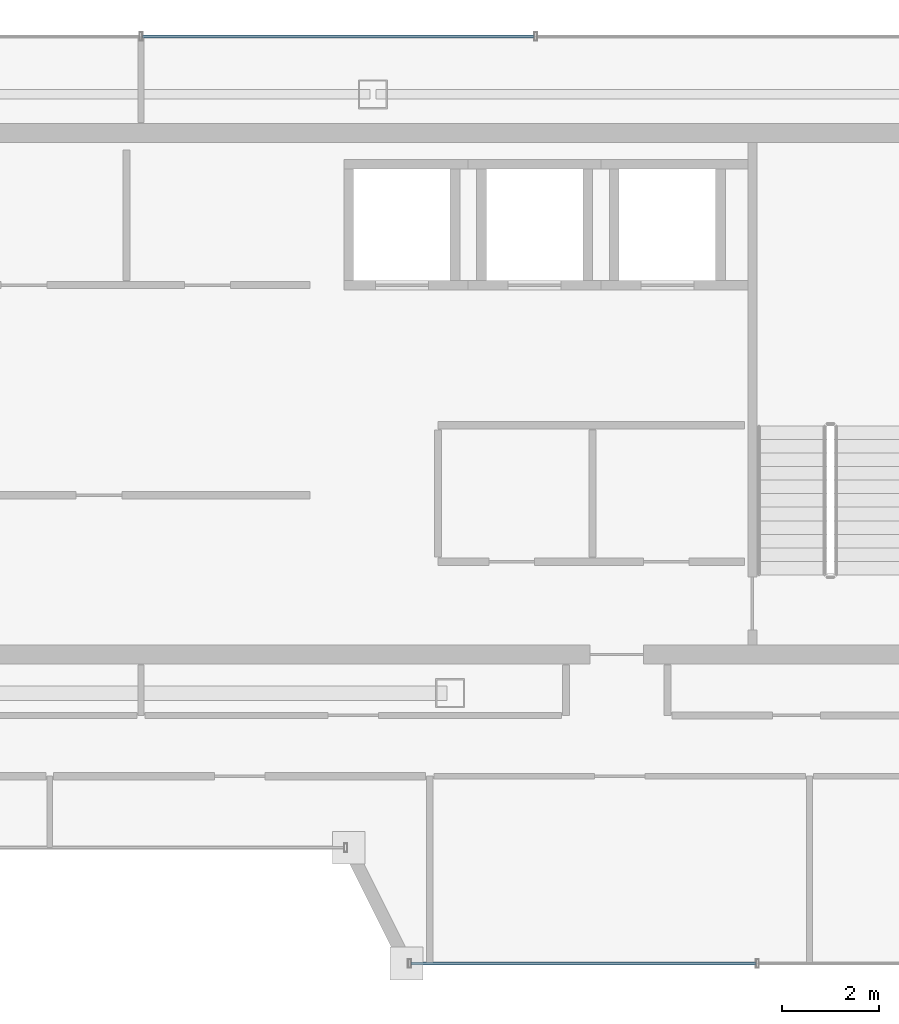
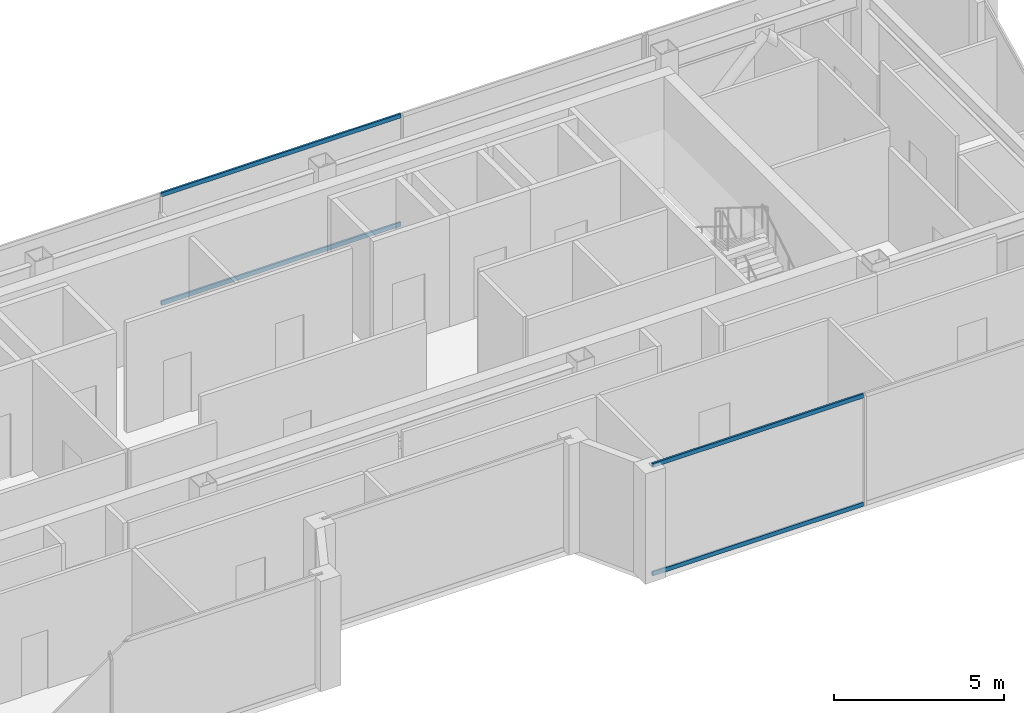
# One storey, part 9 of 20: 4 members, 2 elements without a shape of their own.
"""IFC4 building model written with IfcOpenShell, lengths in metres."""

from ifc_helpers import new_model, si_unit, direction, frame, origin, origin_2d, place, context, subcontext, project, spatial, hollow_rectangle, extrude, material, material_profile, profile_set, type_object, element, aggregate, save


model = new_model("IFC4")

# Units and contexts
model_context = context("Model", 3, precision=1e-05, world=origin(), true_north=direction((0.0, 1.0)))
body_context = subcontext(model_context, "Body", "Model", "MODEL_VIEW")
ifc_project = project(units=[si_unit("LENGTHUNIT", "METRE"), si_unit("AREAUNIT", "SQUARE_METRE"), si_unit("VOLUMEUNIT", "CUBIC_METRE"), si_unit("PLANEANGLEUNIT", "RADIAN"), si_unit("MASSUNIT", "GRAM", prefix="KILO")], contexts=[model_context])

# Site, building, storey
site_placement = place(None, origin())
site = spatial("IfcSite", under=ifc_project, at=site_placement, CompositionType="ELEMENT")
building_placement = place(site_placement, origin())
building = spatial("IfcBuilding", under=site, at=building_placement, Name="Saevonmaru Cultural Tower", CompositionType="ELEMENT")
storey_placement = place(building_placement, frame((0.0, 0.0, 319.199951171875)))
storey = spatial("IfcBuildingStorey", under=building, at=storey_placement, Name="L76", CompositionType="ELEMENT", Elevation=319.199951171875)

# Curtain wall, members
ifc_material = material(Name="Satin Bronze Anodised Aluminium", Category="aluminium")
curtain_wall_type = type_object("IfcCurtainWallType", Name="CW-SKY-GLZ", PredefinedType="NOTDEFINED", material=ifc_material)
curtain_wall_1_placement = place(storey_placement, origin())
curtain_wall_1 = element("IfcCurtainWall", 1, at=curtain_wall_1_placement, inside=storey, type_object=curtain_wall_type, Name="L76 Unitised Curtain Wall E6", PredefinedType="NOTDEFINED")
ifc_material_profile = material_profile(ifc_material, hollow_rectangle(XDim=0.06494140625, YDim=0.14990234375, WallThickness=0.00390625, at=origin_2d()), Name="ALU-TRAN-150x65x4")
ifc_profile_set = profile_set([ifc_material_profile], Name="Satin Bronze Anodised Aluminium")
member_type = type_object("IfcMemberType", Name="TR-CW-150x65", PredefinedType="USERDEFINED", material=ifc_profile_set)
member_1_placement = place(storey_placement, frame((35.592529296875, 36.800048828125, 0.032470703125), z_axis=(1.0, 0.0, 0.0), x_axis=(0.0, 1.0, 0.0)))
member_1 = element("IfcMember", 2, at=member_1_placement, type_object=member_type, Name="CW-TW-L76-E6 transom 1.1", ObjectType="TRANSOM", PredefinedType="USERDEFINED", context=body_context, shape_type="SweptSolid", body=[
    extrude(hollow_rectangle(XDim=0.06494140625, YDim=0.14990234375, WallThickness=0.00390625, at=origin_2d()), origin(), (0.0, 0.0, 1.0), 7.138427734375),
])
member_2_placement = place(storey_placement, frame((35.592529296875, 36.800048828125, 3.91748046875), z_axis=(1.0, 0.0, 0.0), x_axis=(0.0, 1.0, 0.0)))
member_2 = element("IfcMember", 3, at=member_2_placement, type_object=member_type, Name="CW-TW-L76-E6 transom 1.2", ObjectType="TRANSOM", PredefinedType="USERDEFINED", context=body_context, shape_type="SweptSolid", body=[
    extrude(hollow_rectangle(XDim=0.06494140625, YDim=0.14990234375, WallThickness=0.00390625, at=origin_2d()), origin(), (0.0, 0.0, 1.0), 7.138427734375),
])
aggregate(curtain_wall_1, [member_1, member_2])

curtain_wall_2_placement = place(storey_placement, origin())
curtain_wall_2 = element("IfcCurtainWall", 4, at=curtain_wall_2_placement, inside=storey, type_object=curtain_wall_type, Name="L76 North Spine Unitised Curtain Wall E10B", PredefinedType="NOTDEFINED")
member_3_placement = place(storey_placement, frame((38.137451171875, 56.0, 0.032470703125), z_axis=(-1.0, 0.0, 0.0), x_axis=(0.0, -1.0, 0.0)))
member_3 = element("IfcMember", 5, at=member_3_placement, type_object=member_type, Name="CW-TW-L76-E10B transom 2.1", ObjectType="TRANSOM", PredefinedType="USERDEFINED", context=body_context, shape_type="SweptSolid", body=[
    extrude(hollow_rectangle(XDim=0.06494140625, YDim=0.14990234375, WallThickness=0.00390625, at=origin_2d()), origin(), (0.0, 0.0, 1.0), 8.10498046875),
])
member_4_placement = place(storey_placement, frame((38.137451171875, 56.0, 3.91748046875), z_axis=(-1.0, 0.0, 0.0), x_axis=(0.0, -1.0, 0.0)))
member_4 = element("IfcMember", 6, at=member_4_placement, type_object=member_type, Name="CW-TW-L76-E10B transom 2.2", ObjectType="TRANSOM", PredefinedType="USERDEFINED", context=body_context, shape_type="SweptSolid", body=[
    extrude(hollow_rectangle(XDim=0.06494140625, YDim=0.14990234375, WallThickness=0.00390625, at=origin_2d()), origin(), (0.0, 0.0, 1.0), 8.10498046875),
])
aggregate(curtain_wall_2, [member_3, member_4])

save(model, "model.ifc")
